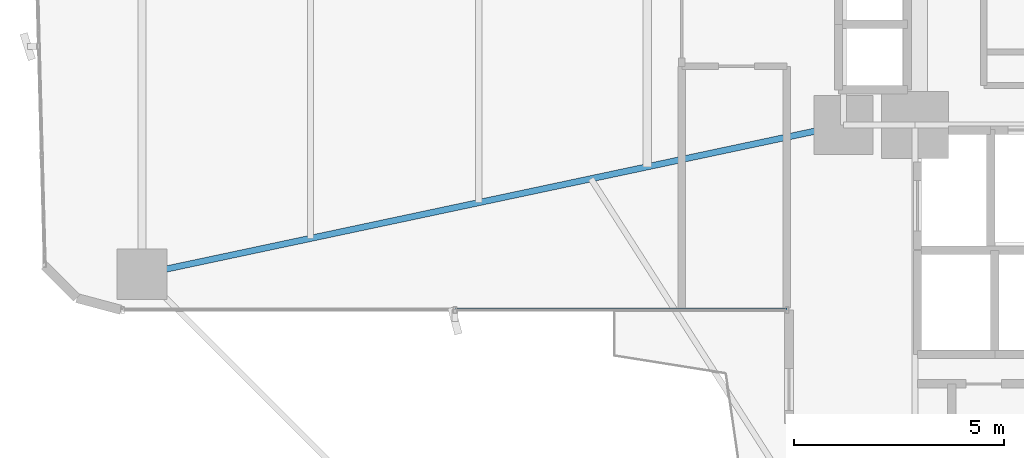
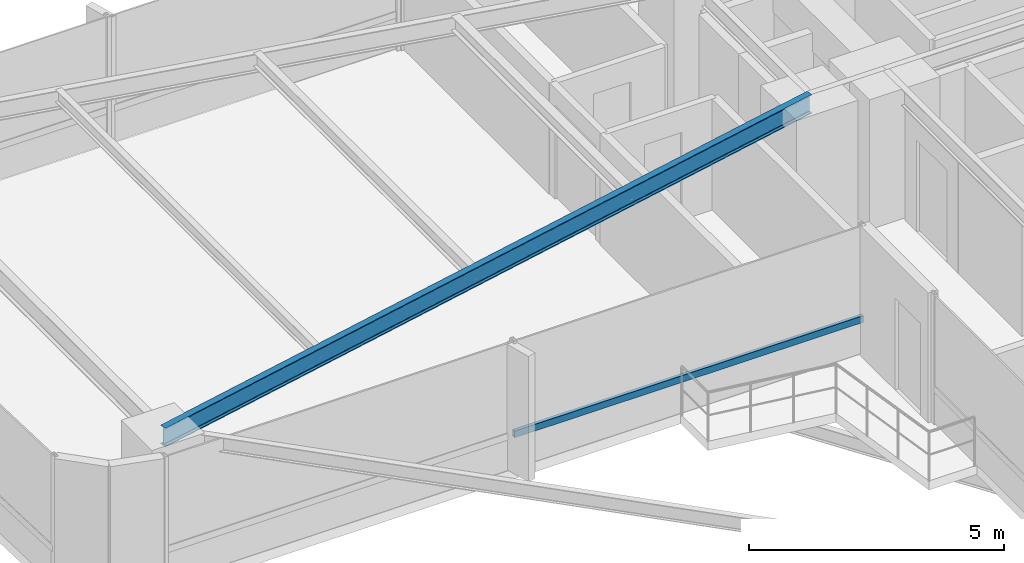
# One storey, part 7 of 25: 1 beam, 1 member, 1 element without a shape of its own.
"""IFC4 building model written with IfcOpenShell, lengths in metres."""

from ifc_helpers import new_model, si_unit, direction, frame, origin, origin_2d, place, context, subcontext, project, spatial, hollow_rectangle, i_section, extrude, source, transform, mapped, material, material_profile, profile_set, type_object, element, aggregate, save


model = new_model("IFC4")

# Units and contexts
model_context = context("Model", 3, precision=1e-05, world=origin(), true_north=direction((0.0, 1.0)))
body_context = subcontext(model_context, "Body", "Model", "MODEL_VIEW")
ifc_project = project(units=[si_unit("LENGTHUNIT", "METRE"), si_unit("AREAUNIT", "SQUARE_METRE"), si_unit("VOLUMEUNIT", "CUBIC_METRE"), si_unit("PLANEANGLEUNIT", "RADIAN"), si_unit("MASSUNIT", "GRAM", prefix="KILO")], contexts=[model_context])

# Site, building, storey
site_placement = place(None, origin())
site = spatial("IfcSite", under=ifc_project, at=site_placement, CompositionType="ELEMENT")
building_placement = place(site_placement, origin())
building = spatial("IfcBuilding", under=site, at=building_placement, Name="Sahyath Konkavel Grand Hotel", CompositionType="ELEMENT")
storey_placement = place(building_placement, frame((0.0, 0.0, 64.449951171875)))
storey = spatial("IfcBuildingStorey", under=building, at=storey_placement, Name="L17", CompositionType="ELEMENT", Elevation=64.449951171875)

# Beam
ifc_material_1 = material(Name="Steel E350", Category="steel")
ifc_material_profile_1 = material_profile(ifc_material_1, i_section(OverallWidth=0.14990234375, OverallDepth=0.449951171875, WebThickness=0.009521484375, FlangeThickness=0.017333984375, FilletRadius=0.014892578125, at=origin_2d()), Name="ISMB 450")
ifc_profile_set_1 = profile_set([ifc_material_profile_1], Name="Steel E350")
beam_type = type_object("IfcBeamType", Name="BM-ISMB450", PredefinedType="BEAM", material=ifc_profile_set_1)
shared_shape_1 = source(origin(), body_context, "Body", "SweptSolid", [
    extrude(i_section(OverallWidth=0.14990234375, OverallDepth=0.449951171875, WebThickness=0.009521484375, FlangeThickness=0.017333984375, FilletRadius=0.014892578125, at=origin_2d()), origin(), (0.0, 0.0, 1.0), 17.072998046875),
])
beam_placement = place(storey_placement, frame((-5.5, -2.39990234375, 2.885009765625), z_axis=(-0.978143257225, -0.20793212437, 0.0), x_axis=(0.20793212437, -0.978143257225, 0.0)))
element("IfcBeam", 1, at=beam_placement, inside=storey, type_object=beam_type, Name="L17 Cruciform Radial Girder WB", PredefinedType="BEAM", context=body_context, shape_type="MappedRepresentation", body=[
    mapped(shared_shape_1, transform((0.0, 0.0, 0.0), scale=1.0)),
])

# Curtain wall, member
ifc_material_2 = material(Name="Anodised Bronze Aluminium & Low-E Glazing", Category="aluminium")
curtain_wall_type = type_object("IfcCurtainWallType", Name="CW-ZONE1", PredefinedType="NOTDEFINED", material=ifc_material_2)
curtain_wall_placement = place(storey_placement, origin())
curtain_wall = element("IfcCurtainWall", 2, at=curtain_wall_placement, inside=storey, type_object=curtain_wall_type, Name="L17 Unitised Curtain Wall F23", PredefinedType="NOTDEFINED")
ifc_material_3 = material(Name="Anodised Bronze Aluminium", Category="aluminium")
ifc_material_profile_2 = material_profile(ifc_material_3, hollow_rectangle(XDim=0.080078125, YDim=0.159912109375, WallThickness=0.006103515625, at=origin_2d()), Name="RHS 160x80x6")
ifc_profile_set_2 = profile_set([ifc_material_profile_2], Name="Anodised Bronze Aluminium")
member_type = type_object("IfcMemberType", Name="CW-TRN-160", PredefinedType="USERDEFINED", material=ifc_profile_set_2)
shared_shape_2 = source(origin(), body_context, "Body", "SweptSolid", [
    extrude(hollow_rectangle(XDim=0.080078125, YDim=0.159912109375, WallThickness=0.006103515625, at=origin_2d()), origin(), (0.0, 0.0, 1.0), 7.909912109375),
])
member_placement = place(storey_placement, frame((-14.75, -6.800048828125, 0.85009765625), z_axis=(1.0, 0.0, 0.0), x_axis=(0.0, 1.0, 0.0)))
member = element("IfcMember", 3, at=member_placement, type_object=member_type, Name="L17 Curtain Wall Transom F23-1-spandrel", ObjectType="TRANSOM", PredefinedType="USERDEFINED", context=body_context, shape_type="MappedRepresentation", body=[
    mapped(shared_shape_2, transform((0.0, 0.0, 0.0), scale=1.0)),
])
aggregate(curtain_wall, [member])

save(model, "model.ifc")
